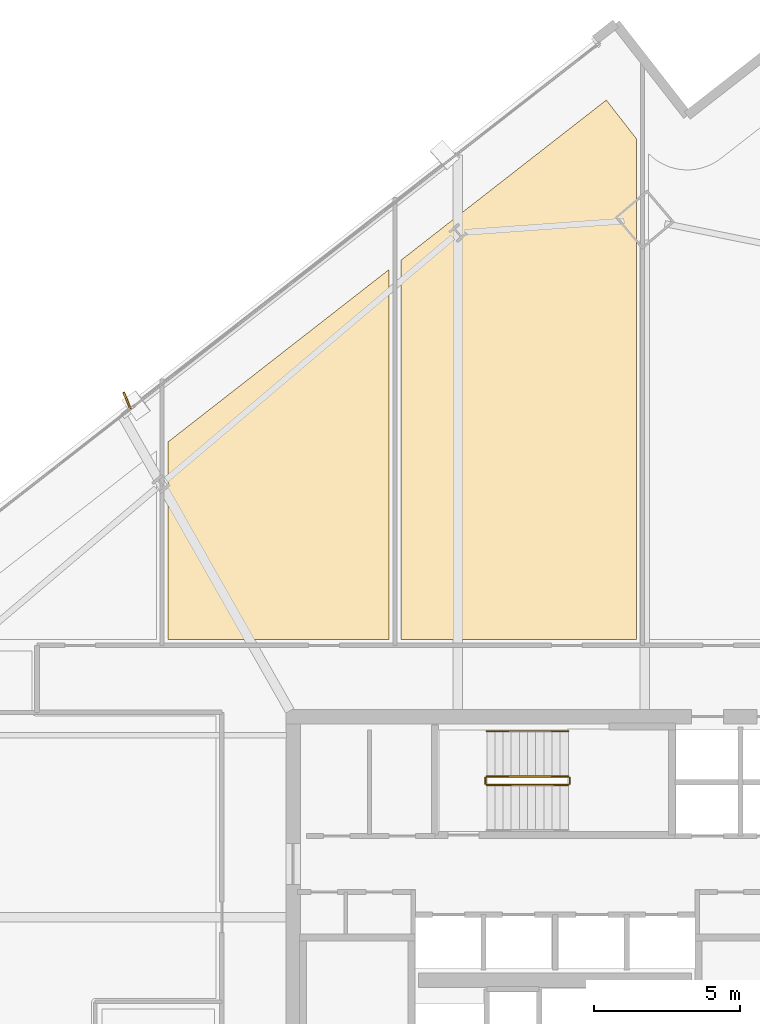
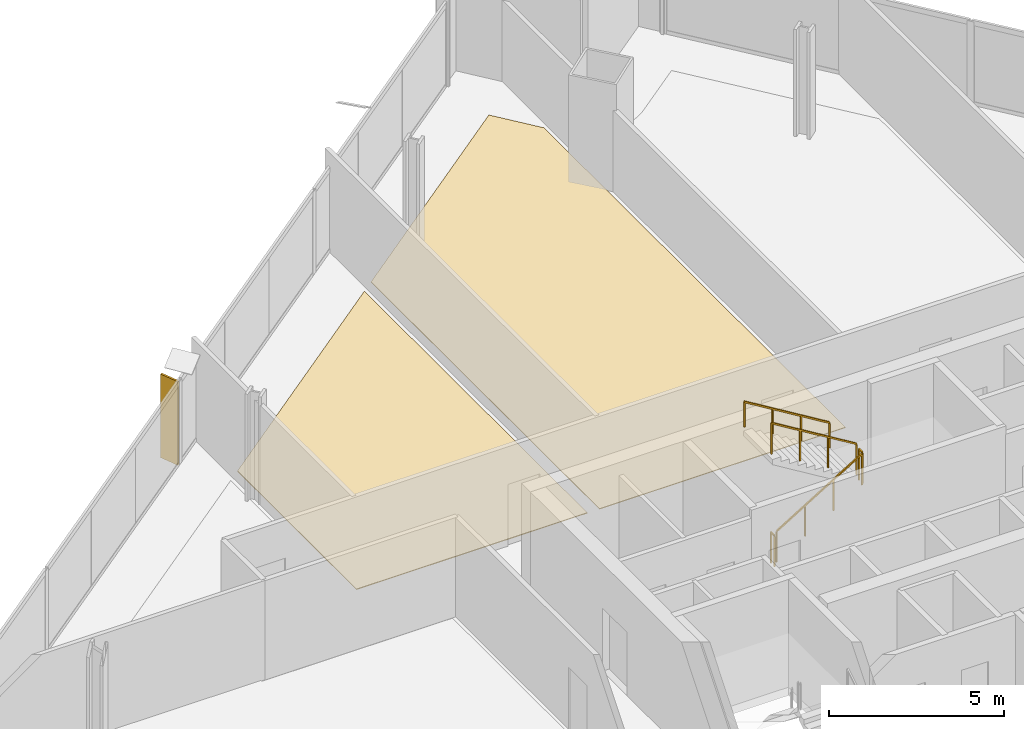
# One storey, part 31 of 32: 5 railings, 2 coverings, 1 shading device.
"""IFC4 building model written with IfcOpenShell, lengths in metres."""

from ifc_helpers import new_model, si_unit, direction, frame, origin, origin_2d, place, context, subcontext, project, spatial, polyline, rectangle, outline, extrude, source, transform, mapped, material, layer, layer_set, type_object, element, save


model = new_model("IFC4")

# Units and contexts
model_context = context("Model", 3, precision=1e-05, world=origin(), true_north=direction((0.0, 1.0)))
body_context = subcontext(model_context, "Body", "Model", "MODEL_VIEW")
ifc_project = project(units=[si_unit("LENGTHUNIT", "METRE"), si_unit("AREAUNIT", "SQUARE_METRE"), si_unit("VOLUMEUNIT", "CUBIC_METRE"), si_unit("PLANEANGLEUNIT", "RADIAN"), si_unit("MASSUNIT", "GRAM", prefix="KILO")], contexts=[model_context])

# Site, building, storey
site_placement = place(None, origin())
site = spatial("IfcSite", under=ifc_project, at=site_placement, CompositionType="ELEMENT")
building_placement = place(site_placement, origin())
building = spatial("IfcBuilding", under=site, at=building_placement, Name="Haldenkirk Collegiate Tower", CompositionType="ELEMENT")
storey_placement = place(building_placement, frame((0.0, 0.0, 155.699951171875)))
storey = spatial("IfcBuildingStorey", under=building, at=storey_placement, Name="L38", CompositionType="ELEMENT", Elevation=155.699951171875)

# Coverings
ifc_material_1 = material(Name="Polished collegiate terrazzo", Category="concrete")
ifc_layer_1 = layer(ifc_material_1, 0.02490234375)
ifc_layer_set_1 = layer_set([ifc_layer_1], Name="Polished collegiate terrazzo")
covering_type_1 = type_object("IfcCoveringType", Name="COV-FLOOR-TERRAZZO", PredefinedType="FLOORING", material=ifc_layer_set_1)
covering_1_placement = place(storey_placement, origin())
element("IfcCovering", 1, at=covering_1_placement, inside=storey, type_object=covering_type_1, Name="L38 academic room finish 06", PredefinedType="FLOORING", context=body_context, shape_type="SweptSolid", body=[
    extrude(outline(polyline([(30.300048828125, 49.365234375), (30.300048828125, 36.64990234375), (22.699951171875, 36.64990234375), (22.699951171875, 43.438232421875), (30.300048828125, 49.365234375)])), origin(), (0.0, 0.0, 1.0), 0.025146484375),
])
ifc_material_2 = material(Name="Engineered collegiate oak acoustic flooring", Category="wood")
ifc_layer_2 = layer(ifc_material_2, 0.02197265625)
ifc_layer_set_2 = layer_set([ifc_layer_2], Name="Engineered collegiate oak acoustic flooring")
covering_type_2 = type_object("IfcCoveringType", Name="COV-FLOOR-TIMBER", PredefinedType="FLOORING", material=ifc_layer_set_2)
covering_2_placement = place(storey_placement, origin())
element("IfcCovering", 2, at=covering_2_placement, inside=storey, type_object=covering_type_2, Name="L38 academic room finish 07", PredefinedType="FLOORING", context=body_context, shape_type="SweptSolid", body=[
    extrude(outline(polyline([(38.800048828125, 53.841796875), (38.800048828125, 36.64990234375), (30.699951171875, 36.64990234375), (30.699951171875, 49.67724609375), (37.756103515625, 55.180419921875), (38.800048828125, 53.841796875)])), origin(), (0.0, 0.0, 1.0), 0.02197265625),
])

# Railings
ifc_material_3 = material(Name="Painted architectural tubular steel", Category="steel")
railing_type_1 = type_object("IfcRailingType", Name="RLG-STAIR-GUARD-1100", PredefinedType="BALUSTRADE", material=ifc_material_3)
railing_1_placement = place(storey_placement, frame((33.64990234375, 31.64990234375, 0.17041015625)))
element("IfcRailing", 3, at=railing_1_placement, inside=storey, type_object=railing_type_1, Name="L38 ST-3 stair guard 1", PredefinedType="BALUSTRADE", context=body_context, shape_type="SweptSolid", body=[
    extrude(rectangle(XDim=0.048095703125, YDim=0.048095703125, at=origin_2d()), frame((0.0, 0.0, 1.076171875), z_axis=(0.854169791009, 0.0, 0.51999420009), x_axis=(0.0, 1.0, 0.0)), (0.0, 0.0, 1.0), 3.278076171875),
    extrude(rectangle(XDim=0.0419921875, YDim=0.0419921875, at=origin_2d()), origin(), (0.0, 0.0, 1.0), 1.052001953125),
    extrude(rectangle(XDim=0.0419921875, YDim=0.0419921875, at=origin_2d()), frame((0.933349609375, 0.0, 0.568115234375)), (0.0, 0.0, 1.0), 1.052001953125),
    extrude(rectangle(XDim=0.0419921875, YDim=0.0419921875, at=origin_2d()), frame((1.86669921875, 0.0, 1.136474609375)), (0.0, 0.0, 1.0), 1.052001953125),
    extrude(rectangle(XDim=0.0419921875, YDim=0.0419921875, at=origin_2d()), frame((2.800048828125, 0.0, 1.70458984375)), (0.0, 0.0, 1.0), 1.052001953125),
])
railing_2_placement = place(storey_placement, frame((36.5, 31.699951171875, 1.875)))
element("IfcRailing", 4, at=railing_2_placement, inside=storey, type_object=railing_type_1, Name="L38 ST-3 stair guard 2", PredefinedType="BALUSTRADE", context=body_context, shape_type="SweptSolid", body=[
    extrude(rectangle(XDim=0.048095703125, YDim=0.048095703125, at=origin_2d()), frame((0.0, 0.0, 1.076171875), z_axis=(0.0, 1.0, 0.0), x_axis=(-1.0, 0.0, 0.0)), (0.0, 0.0, 1.0), 0.199951171875),
    extrude(rectangle(XDim=0.0419921875, YDim=0.0419921875, at=origin_2d()), origin(), (0.0, 0.0, 1.0), 1.052001953125),
    extrude(rectangle(XDim=0.0419921875, YDim=0.0419921875, at=origin_2d()), frame((0.0, 0.199951171875, 0.0)), (0.0, 0.0, 1.0), 1.052001953125),
])
railing_3_placement = place(storey_placement, frame((36.449951171875, 31.949951171875, 2.04541015625)))
element("IfcRailing", 5, at=railing_3_placement, inside=storey, type_object=railing_type_1, Name="L38 ST-3 stair guard 3", PredefinedType="BALUSTRADE", context=body_context, shape_type="SweptSolid", body=[
    extrude(rectangle(XDim=0.048095703125, YDim=0.048095703125, at=origin_2d()), frame((0.0, 0.0, 1.076171875), z_axis=(-0.854169791009, 0.0, 0.51999420009), x_axis=(0.0, -1.0, 0.0)), (0.0, 0.0, 1.0), 3.278076171875),
    extrude(rectangle(XDim=0.0419921875, YDim=0.0419921875, at=origin_2d()), origin(), (0.0, 0.0, 1.0), 1.052001953125),
    extrude(rectangle(XDim=0.0419921875, YDim=0.0419921875, at=origin_2d()), frame((-0.933349609375, 0.0, 0.568115234375)), (0.0, 0.0, 1.0), 1.052001953125),
    extrude(rectangle(XDim=0.0419921875, YDim=0.0419921875, at=origin_2d()), frame((-1.86669921875, 0.0, 1.136474609375)), (0.0, 0.0, 1.0), 1.052001953125),
    extrude(rectangle(XDim=0.0419921875, YDim=0.0419921875, at=origin_2d()), frame((-2.800048828125, 0.0, 1.70458984375)), (0.0, 0.0, 1.0), 1.052001953125),
])
railing_4_placement = place(storey_placement, frame((33.60009765625, 31.699951171875, 0.0)))
element("IfcRailing", 6, at=railing_4_placement, inside=storey, type_object=railing_type_1, Name="L38 ST-3 stair guard 4", PredefinedType="BALUSTRADE", context=body_context, shape_type="SweptSolid", body=[
    extrude(rectangle(XDim=0.048095703125, YDim=0.048095703125, at=origin_2d()), frame((0.0, 0.0, 1.076171875), z_axis=(0.0, 1.0, 0.0), x_axis=(-1.0, 0.0, 0.0)), (0.0, 0.0, 1.0), 0.199951171875),
    extrude(rectangle(XDim=0.0419921875, YDim=0.0419921875, at=origin_2d()), origin(), (0.0, 0.0, 1.0), 1.052001953125),
    extrude(rectangle(XDim=0.0419921875, YDim=0.0419921875, at=origin_2d()), frame((0.0, 0.199951171875, 0.0)), (0.0, 0.0, 1.0), 1.052001953125),
])
railing_type_2 = type_object("IfcRailingType", Name="RLG-STAIR-HANDRAIL-900", PredefinedType="HANDRAIL", material=ifc_material_3)
railing_5_placement = place(storey_placement, frame((36.449951171875, 33.5, 2.04541015625)))
element("IfcRailing", 7, at=railing_5_placement, inside=storey, type_object=railing_type_2, Name="L38 ST-3 stair handrail 2", PredefinedType="HANDRAIL", context=body_context, shape_type="SweptSolid", body=[
    extrude(rectangle(XDim=0.048095703125, YDim=0.048095703125, at=origin_2d()), frame((0.0, 0.0, 0.8759765625), z_axis=(-0.854169791009, 0.0, 0.51999420009), x_axis=(0.0, -1.0, 0.0)), (0.0, 0.0, 1.0), 3.278076171875),
    extrude(rectangle(XDim=0.0419921875, YDim=0.0419921875, at=origin_2d()), origin(), (0.0, 0.0, 1.0), 0.851806640625),
    extrude(rectangle(XDim=0.0419921875, YDim=0.0419921875, at=origin_2d()), frame((-0.933349609375, 0.0, 0.568115234375)), (0.0, 0.0, 1.0), 0.851806640625),
    extrude(rectangle(XDim=0.0419921875, YDim=0.0419921875, at=origin_2d()), frame((-1.86669921875, 0.0, 1.136474609375)), (0.0, 0.0, 1.0), 0.851806640625),
    extrude(rectangle(XDim=0.0419921875, YDim=0.0419921875, at=origin_2d()), frame((-2.800048828125, 0.0, 1.70458984375)), (0.0, 0.0, 1.0), 0.851806640625),
])

# Shading device
ifc_material_4 = material(Name="Anodised architectural bronze aluminium", Category="aluminium")
ifc_layer_3 = layer(ifc_material_4, 0.06494140625)
ifc_layer_set_3 = layer_set([ifc_layer_3], Name="Anodised architectural bronze aluminium")
shading_device_type = type_object("IfcShadingDeviceType", Name="SHD-FIN-BRONZE-620", PredefinedType="USERDEFINED", material=ifc_layer_set_3)
shared_shape = source(origin(), body_context, "Body", "SweptSolid", [
    extrude(rectangle(XDim=0.6201171875, YDim=0.06494140625, at=origin_2d()), origin(), (0.0, 0.0, 1.0), 2.910888671875),
])
shading_device_placement = place(storey_placement, frame((21.29296875, 44.858154296875, 0.0), z_axis=(0.0, 0.0, 1.0), x_axis=(-0.373797330327, 0.927510407403, 0.0)))
element("IfcShadingDevice", 8, at=shading_device_placement, inside=storey, type_object=shading_device_type, Name="L38 folded bronze solar fin 1", ObjectType="FIN", PredefinedType="USERDEFINED", context=body_context, shape_type="MappedRepresentation", body=[
    mapped(shared_shape, transform((0.0, 0.0, 0.0), x_axis=(1.0, 0.0, 0.0), y_axis=(0.0, 1.0, 0.0), z_axis=(0.0, 0.0, 1.0), scale=1.0)),
])

save(model, "model.ifc")
